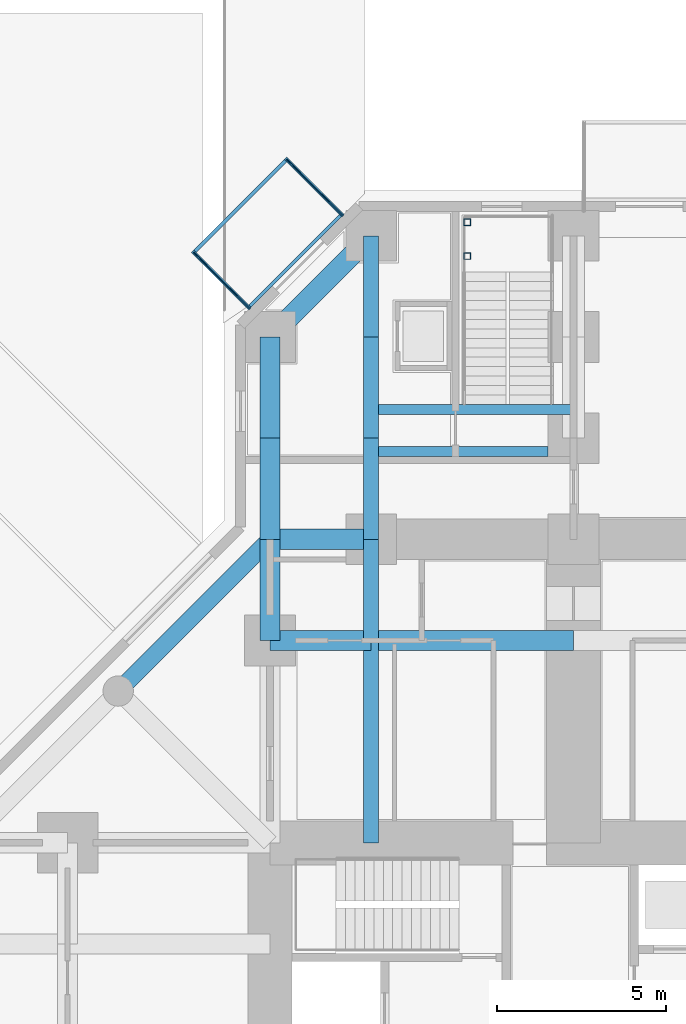
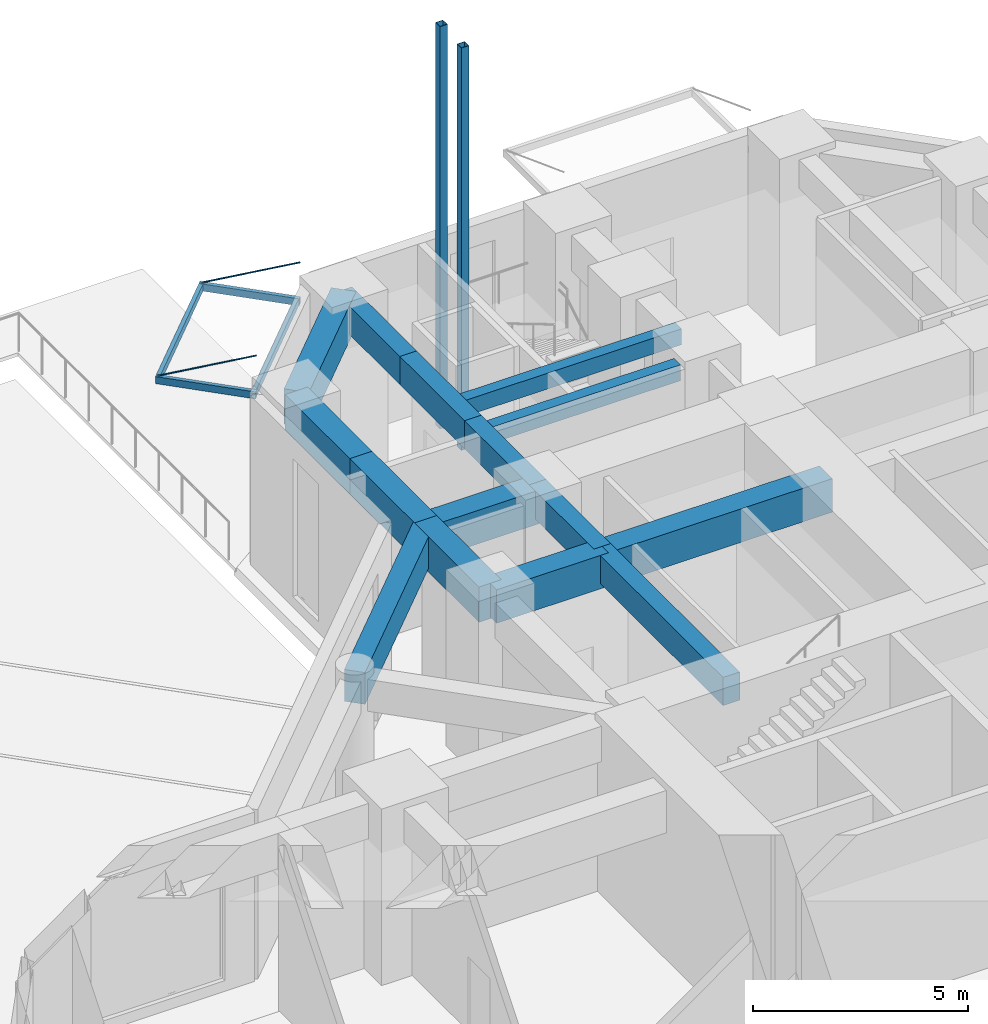
# One storey, part 2 of 14: 15 beams, 8 members.
"""IFC4 building model written with IfcOpenShell, lengths in metres."""

from ifc_helpers import new_model, si_unit, direction, frame, origin, origin_2d, place, context, subcontext, project, spatial, rectangle, hollow_rectangle, circle, extrude, material, material_profile, profile_set, type_object, element, save


model = new_model("IFC4")

# Units and contexts
model_context = context("Model", 3, precision=1e-05, world=origin(), true_north=direction((0.0, 1.0)))
body_context = subcontext(model_context, "Body", "Model", "MODEL_VIEW")
ifc_project = project(units=[si_unit("LENGTHUNIT", "METRE"), si_unit("AREAUNIT", "SQUARE_METRE"), si_unit("VOLUMEUNIT", "CUBIC_METRE"), si_unit("PLANEANGLEUNIT", "RADIAN"), si_unit("MASSUNIT", "GRAM", prefix="KILO")], contexts=[model_context])

# Site, building, storey
site_placement = place(None, origin())
site = spatial("IfcSite", under=ifc_project, at=site_placement, CompositionType="ELEMENT")
building_placement = place(site_placement, origin())
building = spatial("IfcBuilding", under=site, at=building_placement, Name="Torre Cruceta", CompositionType="ELEMENT")
storey_placement = place(building_placement, origin())
storey = spatial("IfcBuildingStorey", under=building, at=storey_placement, Name="L00", CompositionType="ELEMENT", Elevation=0.0)

# Members
ifc_material_1 = material(Name="Steel S355", Category="steel")
ifc_material_profile_1 = material_profile(ifc_material_1, hollow_rectangle(XDim=0.10009765625, YDim=0.199951171875, WallThickness=0.008056640625, at=origin_2d()), Name="RHS200X100X8")
ifc_profile_set_1 = profile_set([ifc_material_profile_1], Name="Steel S355")
member_type_1 = type_object("IfcMemberType", Name="CANOPY FRAME RHS200X100X8", PredefinedType="USERDEFINED", material=ifc_profile_set_1)
for number, where, z_axis, x_axis, name in (
    (1, (-6.9130859375, 27.60009765625, 4.39990234375), (-0.707106781187, -0.707106781187, 0.0), (0.707106781187, -0.707106781187, 0.0), "CN1 canopy 2 frame B"),
    (2, (-8.53955078125, 29.226318359375, 4.39990234375), (-0.707106781187, -0.707106781187, 0.0), (0.707106781187, -0.707106781187, 0.0), "CN1 canopy 2 frame F"),
):
    element("IfcMember", number, at=place(storey_placement, frame(where, z_axis=z_axis, x_axis=x_axis)), inside=storey, type_object=member_type_1, Name=name, ObjectType="CANOPY FRAME", PredefinedType="USERDEFINED", context=body_context, shape_type="SweptSolid", body=[
        extrude(hollow_rectangle(XDim=0.10009765625, YDim=0.199951171875, WallThickness=0.008056640625, at=origin_2d()), origin(), (0.0, 0.0, 1.0), 3.800048828125),
    ])
member_1_placement = place(storey_placement, frame((-6.835693359375, 27.593505859375, 4.39990234375), z_axis=(-0.707157442607, 0.707056116136, 0.0), x_axis=(-0.707056116136, -0.707157442607, 0.0)))
element("IfcMember", 3, at=member_1_placement, inside=storey, type_object=member_type_1, Name="CN1 canopy 2 frame L", ObjectType="CANOPY FRAME", PredefinedType="USERDEFINED", context=body_context, shape_type="SweptSolid", body=[
    extrude(hollow_rectangle(XDim=0.10009765625, YDim=0.199951171875, WallThickness=0.008056640625, at=origin_2d()), origin(), (0.0, 0.0, 1.0), 2.409423828125),
])
member_2_placement = place(storey_placement, frame((-9.593505859375, 24.835693359375, 4.39990234375), z_axis=(-0.707106781187, 0.707106781187, 0.0), x_axis=(-0.707106781187, -0.707106781187, 0.0)))
element("IfcMember", 4, at=member_2_placement, inside=storey, type_object=member_type_1, Name="CN1 canopy 2 frame R", ObjectType="CANOPY FRAME", PredefinedType="USERDEFINED", context=body_context, shape_type="SweptSolid", body=[
    extrude(hollow_rectangle(XDim=0.10009765625, YDim=0.199951171875, WallThickness=0.008056640625, at=origin_2d()), origin(), (0.0, 0.0, 1.0), 2.4091796875),
])
ifc_material_2 = material(Name="Steel S355", Category="steel")
ifc_material_profile_2 = material_profile(ifc_material_2, circle(Radius=0.014892578125, at=origin_2d()), Name="ROD D30")
ifc_profile_set_2 = profile_set([ifc_material_profile_2], Name="Steel S355")
member_type_2 = type_object("IfcMemberType", Name="CANOPY TIE ROD D30", PredefinedType="USERDEFINED", material=ifc_profile_set_2)
for number, where, z_axis, x_axis, name in (
    (5, (-8.504150390625, 29.26171875, 4.5), (0.651091456879, -0.650996184498, 0.390235675648), (0.707055041035, 0.707158517552, 0.0), "CN2 canopy 2 tie rod 1"),
    (6, (-11.26171875, 26.504150390625, 4.5), (0.650996184498, -0.651091456879, 0.390235675648), (0.707158517552, 0.707055041035, 0.0), "CN2 canopy 2 tie rod 2"),
):
    element("IfcMember", number, at=place(storey_placement, frame(where, z_axis=z_axis, x_axis=x_axis)), inside=storey, type_object=member_type_2, Name=name, ObjectType="TIE ROD", PredefinedType="USERDEFINED", context=body_context, shape_type="SweptSolid", body=[
        extrude(circle(Radius=0.014892578125, at=origin_2d()), origin(), (0.0, 0.0, 1.0), 2.5625),
    ])

# Beams
ifc_material_3 = material(Name="Concrete G60 (fck 60 MPa)", Category="concrete")
ifc_material_profile_3 = material_profile(ifc_material_3, rectangle(XDim=0.449951171875, YDim=0.800048828125, at=origin_2d()), Name="RC 450X800")
ifc_profile_set_3 = profile_set([ifc_material_profile_3], Name="Concrete G60 (fck 60 MPa)")
beam_type_1 = type_object("IfcBeamType", Name="COLUMN LINE BEAM RC 450X800", PredefinedType="BEAM", material=ifc_profile_set_3)
beam_1_placement = place(storey_placement, frame((-6.0, 9.0, 4.39990234375), z_axis=(0.0, 1.0, 0.0), x_axis=(-1.0, 0.0, 0.0)))
element("IfcBeam", 7, at=beam_1_placement, inside=storey, type_object=beam_type_1, Name="LB1 L00 N col+ 1", PredefinedType="BEAM", context=body_context, shape_type="SweptSolid", body=[
    extrude(rectangle(XDim=0.449951171875, YDim=0.800048828125, at=origin_2d()), origin(), (0.0, 0.0, 1.0), 6.0),
])
for number, where, z_axis, x_axis, name in (
    (8, (-6.0, 15.0, 4.39990234375), (0.0, 1.0, 0.0), (-1.0, 0.0, 0.0), "LB1 L00 N col+ 2"),
    (9, (-6.0, 18.0, 4.39990234375), (0.0, 1.0, 0.0), (-1.0, 0.0, 0.0), "LB1 L00 N col+ 3"),
    (10, (-6.0, 21.0, 4.39990234375), (0.0, 1.0, 0.0), (-1.0, 0.0, 0.0), "LB1 L00 N col+ 4"),
    (11, (-6.0, 24.0, 4.39990234375), (0.0, 1.0, 0.0), (-1.0, 0.0, 0.0), "LB1 L00 N col+ 5"),
):
    element("IfcBeam", number, at=place(storey_placement, frame(where, z_axis=z_axis, x_axis=x_axis)), inside=storey, type_object=beam_type_1, Name=name, PredefinedType="BEAM", context=body_context, shape_type="SweptSolid", body=[
        extrude(rectangle(XDim=0.449951171875, YDim=0.800048828125, at=origin_2d()), origin(), (0.0, 0.0, 1.0), 3.0),
    ])
ifc_material_4 = material(Name="Concrete G60 (fck 60 MPa)", Category="concrete")
ifc_material_profile_4 = material_profile(ifc_material_4, rectangle(XDim=0.60009765625, YDim=0.949951171875, at=origin_2d()), Name="RC 600X950")
ifc_profile_set_4 = profile_set([ifc_material_profile_4], Name="Concrete G60 (fck 60 MPa)")
beam_type_2 = type_object("IfcBeamType", Name="CROSS BEAM RC 600X950", PredefinedType="BEAM", material=ifc_profile_set_4)
beam_2_placement = place(storey_placement, frame((0.0, 15.0, 4.324951171875), z_axis=(-1.0, 0.0, 0.0), x_axis=(0.0, -1.0, 0.0)))
element("IfcBeam", 12, at=beam_2_placement, inside=storey, type_object=beam_type_2, Name="GB1 L00 N cross15 3", PredefinedType="BEAM", context=body_context, shape_type="SweptSolid", body=[
    extrude(rectangle(XDim=0.60009765625, YDim=0.949951171875, at=origin_2d()), origin(), (0.0, 0.0, 1.0), 6.0),
])
for number, where, z_axis, x_axis, name in (
    (13, (-6.0, 15.0, 4.324951171875), (-1.0, 0.0, 0.0), (0.0, -1.0, 0.0), "GB1 L00 N cross15 4"),
    (14, (-6.0, 18.0, 4.324951171875), (-1.0, 0.0, 0.0), (0.0, -1.0, 0.0), "GB1 L00 N cross18b 1"),
):
    element("IfcBeam", number, at=place(storey_placement, frame(where, z_axis=z_axis, x_axis=x_axis)), inside=storey, type_object=beam_type_2, Name=name, PredefinedType="BEAM", context=body_context, shape_type="SweptSolid", body=[
        extrude(rectangle(XDim=0.60009765625, YDim=0.949951171875, at=origin_2d()), origin(), (0.0, 0.0, 1.0), 3.0),
    ])
ifc_material_5 = material(Name="Concrete G60 (fck 60 MPa)", Category="concrete")
ifc_material_profile_5 = material_profile(ifc_material_5, rectangle(XDim=0.60009765625, YDim=1.0, at=origin_2d()), Name="RC 600X1000")
ifc_profile_set_5 = profile_set([ifc_material_profile_5], Name="Concrete G60 (fck 60 MPa)")
beam_type_3 = type_object("IfcBeamType", Name="SPANDREL BEAM RC 600X1000", PredefinedType="SPANDREL", material=ifc_profile_set_5)
for number, where, z_axis, x_axis, name in (
    (15, (-9.0, 15.0, 4.300048828125), (0.0, 1.0, 0.0), (-1.0, 0.0, 0.0), "SB1 L00 N side+ 2"),
    (16, (-9.0, 18.0, 4.300048828125), (0.0, 1.0, 0.0), (-1.0, 0.0, 0.0), "SB1 L00 N side+ 3"),
    (17, (-9.0, 21.0, 4.300048828125), (0.0, 1.0, 0.0), (-1.0, 0.0, 0.0), "SB1 L00 N side+ 4"),
):
    element("IfcBeam", number, at=place(storey_placement, frame(where, z_axis=z_axis, x_axis=x_axis)), inside=storey, type_object=beam_type_3, Name=name, PredefinedType="SPANDREL", context=body_context, shape_type="SweptSolid", body=[
        extrude(rectangle(XDim=0.60009765625, YDim=1.0, at=origin_2d()), origin(), (0.0, 0.0, 1.0), 3.0),
    ])
beam_3_placement = place(storey_placement, frame((-9.0, 24.0, 4.300048828125), z_axis=(0.707106781187, 0.707106781187, 0.0), x_axis=(-0.707106781187, 0.707106781187, 0.0)))
element("IfcBeam", 18, at=beam_3_placement, inside=storey, type_object=beam_type_3, Name="SB1 L00 N side+ 5", PredefinedType="SPANDREL", context=body_context, shape_type="SweptSolid", body=[
    extrude(rectangle(XDim=0.60009765625, YDim=1.0, at=origin_2d()), origin(), (0.0, 0.0, 1.0), 4.24267578125),
])

# Members
ifc_material_6 = material(Name="Steel S355J2H", Category="steel")
ifc_material_profile_6 = material_profile(ifc_material_6, hollow_rectangle(XDim=0.199951171875, YDim=0.199951171875, WallThickness=0.010009765625, at=origin_2d()), Name="SHS200X200X10")
ifc_profile_set_6 = profile_set([ifc_material_profile_6], Name="Steel S355J2H")
member_type_3 = type_object("IfcMemberType", Name="STAIR LANDING POST SHS200X200X10", PredefinedType="POST", material=ifc_profile_set_6)
for number, where, z_axis, x_axis, name in (
    (19, (-3.14990234375, 26.39990234375, -0.300048828125), (0.0, 0.0, 1.0), (1.0, 0.0, 0.0), "SLP1 stair landing post ST3 1"),
    (20, (-3.14990234375, 27.39990234375, -0.300048828125), (0.0, 0.0, 1.0), (1.0, 0.0, 0.0), "SLP1 stair landing post ST3 2"),
):
    element("IfcMember", number, at=place(storey_placement, frame(where, z_axis=z_axis, x_axis=x_axis)), inside=storey, type_object=member_type_3, Name=name, PredefinedType="POST", context=body_context, shape_type="SweptSolid", body=[
        extrude(hollow_rectangle(XDim=0.199951171875, YDim=0.199951171875, WallThickness=0.010009765625, at=origin_2d()), origin(), (0.0, 0.0, 1.0), 11.400146484375),
    ])

# Beams
ifc_material_7 = material(Name="Concrete G60 (fck 60 MPa)", Category="concrete")
ifc_material_profile_7 = material_profile(ifc_material_7, rectangle(XDim=0.300048828125, YDim=0.449951171875, at=origin_2d()), Name="RC 300X450")
ifc_profile_set_7 = profile_set([ifc_material_profile_7], Name="Concrete G60 (fck 60 MPa)")
beam_type_4 = type_object("IfcBeamType", Name="STAIR TRIMMER BEAM RC 300X450", PredefinedType="BEAM", material=ifc_profile_set_7)
beam_4_placement = place(storey_placement, frame((-0.75, 20.60009765625, 4.574951171875), z_axis=(-1.0, 0.0, 0.0), x_axis=(0.0, -1.0, 0.0)))
element("IfcBeam", 21, at=beam_4_placement, inside=storey, type_object=beam_type_4, Name="TB1 stair trimmer beam ST3 L01 1", PredefinedType="BEAM", context=body_context, shape_type="SweptSolid", body=[
    extrude(rectangle(XDim=0.300048828125, YDim=0.449951171875, at=origin_2d()), origin(), (0.0, 0.0, 1.0), 5.25),
])
beam_5_placement = place(storey_placement, frame((0.0, 21.85009765625, 4.574951171875), z_axis=(-1.0, 0.0, 0.0), x_axis=(0.0, -1.0, 0.0)))
element("IfcBeam", 22, at=beam_5_placement, inside=storey, type_object=beam_type_4, Name="TB1 stair trimmer beam ST3 L01 2", PredefinedType="BEAM", context=body_context, shape_type="SweptSolid", body=[
    extrude(rectangle(XDim=0.300048828125, YDim=0.449951171875, at=origin_2d()), origin(), (0.0, 0.0, 1.0), 6.0),
])
ifc_material_8 = material(Name="Concrete G60 (fck 60 MPa)", Category="concrete")
ifc_material_profile_8 = material_profile(ifc_material_8, rectangle(XDim=0.5, YDim=0.89990234375, at=origin_2d()), Name="RC 500X900")
ifc_profile_set_8 = profile_set([ifc_material_profile_8], Name="Concrete G60 (fck 60 MPa)")
beam_type_5 = type_object("IfcBeamType", Name="WING EDGE BEAM RC 500X900", PredefinedType="BEAM", material=ifc_profile_set_8)
beam_6_placement = place(storey_placement, frame((-9.0, 18.0, 4.35009765625), z_axis=(-0.707106781187, -0.707106781187, 0.0), x_axis=(0.707106781187, -0.707106781187, 0.0)))
element("IfcBeam", 23, at=beam_6_placement, inside=storey, type_object=beam_type_5, Name="WB1 L00 N wing 1", PredefinedType="BEAM", context=body_context, shape_type="SweptSolid", body=[
    extrude(rectangle(XDim=0.5, YDim=0.89990234375, at=origin_2d()), origin(), (0.0, 0.0, 1.0), 6.364013671875),
])

save(model, "model.ifc")
